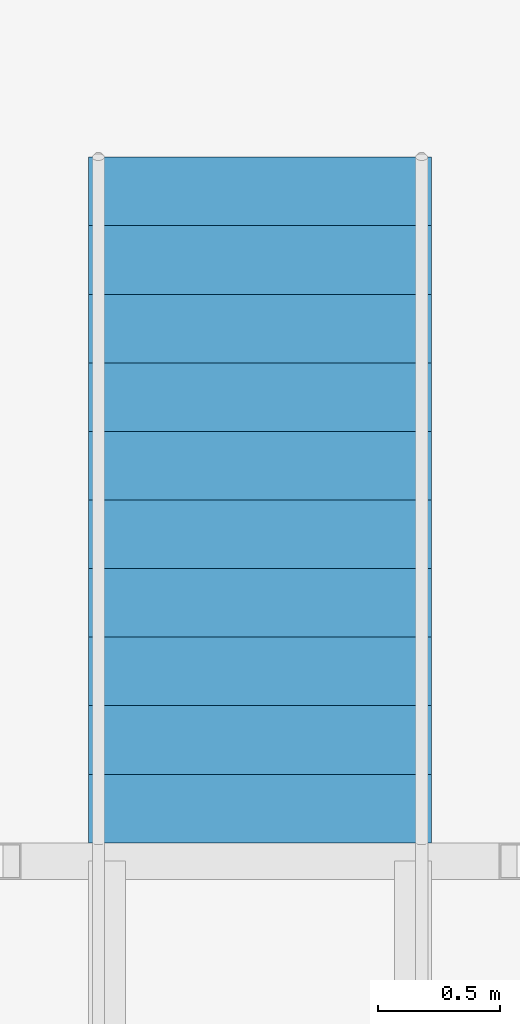
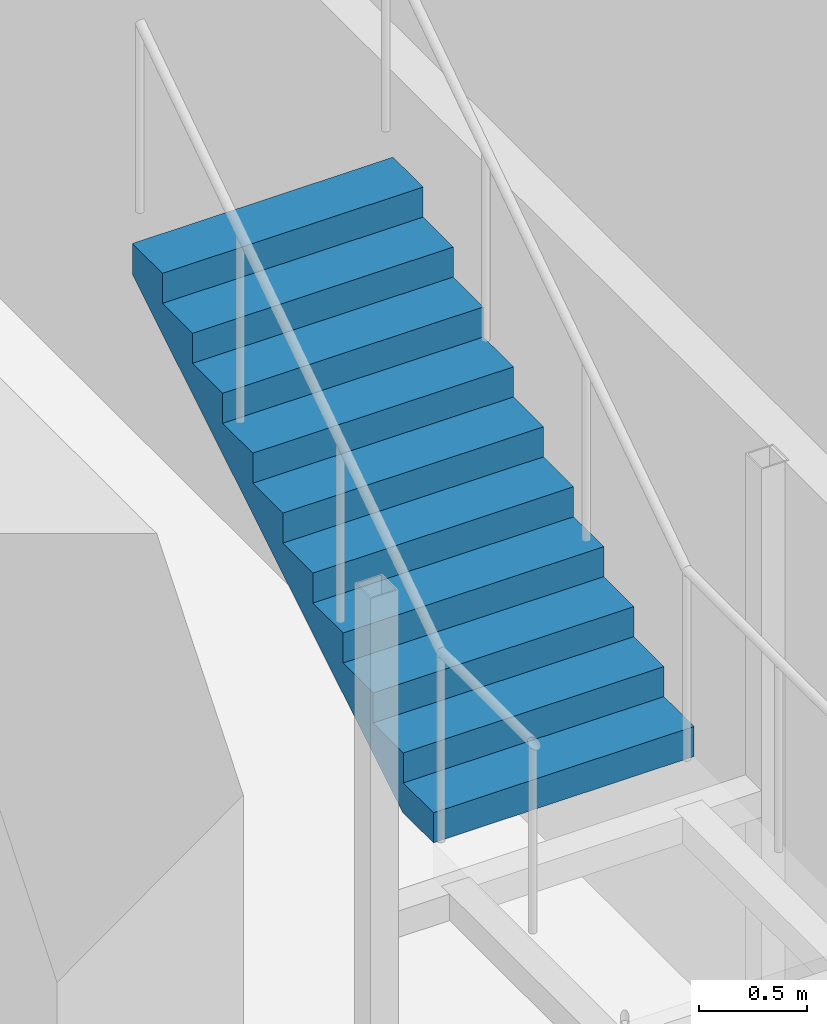
# One storey, part 24 of 27: 1 stair flight, 1 element without a shape of its own.
"""IFC4 building model written with IfcOpenShell, lengths in metres."""

from ifc_helpers import new_model, si_unit, direction, frame, origin, place, context, subcontext, project, spatial, triangles, material, type_object, element, aggregate, save


model = new_model("IFC4")

# Units and contexts
model_context = context("Model", 3, precision=1e-05, world=origin(), true_north=direction((0.0, 1.0)))
body_context = subcontext(model_context, "Body", "Model", "MODEL_VIEW")
ifc_project = project(units=[si_unit("LENGTHUNIT", "METRE"), si_unit("AREAUNIT", "SQUARE_METRE"), si_unit("VOLUMEUNIT", "CUBIC_METRE"), si_unit("PLANEANGLEUNIT", "RADIAN"), si_unit("MASSUNIT", "GRAM", prefix="KILO")], contexts=[model_context])

# Site, building, storey
site_placement = place(None, origin())
site = spatial("IfcSite", under=ifc_project, at=site_placement, CompositionType="ELEMENT")
building_placement = place(site_placement, origin())
building = spatial("IfcBuilding", under=site, at=building_placement, Name="Orbita Commons", CompositionType="ELEMENT")
storey_placement = place(building_placement, frame((0.0, 0.0, 178.60009765625)))
storey = spatial("IfcBuildingStorey", under=building, at=storey_placement, Name="L44", CompositionType="ELEMENT", Elevation=178.60009765625)

# Stair, stair flight
ifc_material_1 = material(Name="Steel ASTM A992 stringers, precast concrete C40/50 terrazzo treads", Category="concrete")
stair_type = type_object("IfcStairType", Name="Feature stair 22 risers 170 x 280 x 1400", PredefinedType="STRAIGHT_RUN_STAIR", material=ifc_material_1)
stair_placement = place(storey_placement, origin())
stair = element("IfcStair", 1, at=stair_placement, inside=storey, type_object=stair_type, Name="Neighbourhood stair L44 to L45", PredefinedType="STRAIGHT_RUN_STAIR")
ifc_material_2 = material(Name="Steel ASTM A992 stringers, precast concrete C40/50 terrazzo treads", Category="concrete")
stair_flight_type = type_object("IfcStairFlightType", Name="Feature stair flight 11 risers 170 x 1400", PredefinedType="STRAIGHT", material=ifc_material_2)
stair_flight_placement = place(storey_placement, frame((14.39990234375, 36.010009765625, 1.875), z_axis=(0.0, 0.0, 1.0), x_axis=(0.0, 1.0, 0.0)))
stair_flight = element("IfcStairFlight", 2, at=stair_flight_placement, type_object=stair_flight_type, Name="FS flight 2", NumberOfRisers=11, NumberOfTreads=10, PredefinedType="STRAIGHT", RiserHeight=0.170454545, TreadLength=0.28, context=body_context, shape_type="Tessellation", body=[
    triangles([(0.0, 0.699951, 0.0), (0.0, 0.699951, 0.021307), (0.0, 0.583293, 0.021307), (0.0, 0.583293, 0.0), (0.0, 0.466634, 0.021307), (0.0, 0.466634, 0.0), (0.0, 0.349976, 0.021307), (0.0, 0.349976, 0.0), (0.0, 0.233317, 0.021307), (0.0, 0.233317, 0.0), (0.0, 0.116659, 0.021307), (0.0, 0.116659, 0.0), (0.0, 0.0, 0.021307), (0.0, 0.0, 0.0), (0.0, -0.116659, 0.021307), (0.0, -0.116659, 0.0), (0.0, -0.233317, 0.021307), (0.0, -0.233317, 0.0), (0.0, -0.349976, 0.021307), (0.0, -0.349976, 0.0), (0.0, -0.466634, 0.021307), (0.0, -0.466634, 0.0), (0.0, -0.583293, 0.021307), (0.0, -0.583293, 0.0), (0.0, -0.699951, 0.021307), (0.0, -0.699951, 0.0), (0.0, 0.699951, 0.042614), (0.0, 0.583293, 0.042614), (0.0, 0.466634, 0.042614), (0.0, 0.349976, 0.042614), (0.0, 0.233317, 0.042614), (0.0, 0.116659, 0.042614), (0.0, 0.0, 0.042614), (0.0, -0.116659, 0.042614), (0.0, -0.233317, 0.042614), (0.0, -0.349976, 0.042614), (0.0, -0.466634, 0.042614), (0.0, -0.583293, 0.042614), (0.0, -0.699951, 0.042614), (0.0, 0.699951, 0.06392), (0.0, 0.583293, 0.06392), (0.0, 0.466634, 0.06392), (0.0, 0.349976, 0.06392), (0.0, 0.233317, 0.06392), (0.0, 0.116659, 0.06392), (0.0, 0.0, 0.06392), (0.0, -0.116659, 0.06392), (0.0, -0.233317, 0.06392), (0.0, -0.349976, 0.06392), (0.0, -0.466634, 0.06392), (0.0, -0.583293, 0.06392), (0.0, -0.699951, 0.06392), (0.0, 0.699951, 0.085227), (0.0, 0.583293, 0.085227), (0.0, 0.466634, 0.085227), (0.0, 0.349976, 0.085227), (0.0, 0.233317, 0.085227), (0.0, 0.116659, 0.085227), (0.0, 0.0, 0.085227), (0.0, -0.116659, 0.085227), (0.0, -0.233317, 0.085227), (0.0, -0.349976, 0.085227), (0.0, -0.466634, 0.085227), (0.0, -0.583293, 0.085227), (0.0, -0.699951, 0.085227), (0.0, 0.699951, 0.106534), (0.0, 0.583293, 0.106534), (0.0, 0.466634, 0.106534), (0.0, 0.349976, 0.106534), (0.0, 0.233317, 0.106534), (0.0, 0.116659, 0.106534), (0.0, 0.0, 0.106534), (0.0, -0.116659, 0.106534), (0.0, -0.233317, 0.106534), (0.0, -0.349976, 0.106534), (0.0, -0.466634, 0.106534), (0.0, -0.583293, 0.106534), (0.0, -0.699951, 0.106534), (0.0, 0.699951, 0.127841), (0.0, 0.583293, 0.127841), (0.0, 0.466634, 0.127841), (0.0, 0.349976, 0.127841), (0.0, 0.233317, 0.127841), (0.0, 0.116659, 0.127841), (0.0, 0.0, 0.127841), (0.0, -0.116659, 0.127841), (0.0, -0.233317, 0.127841), (0.0, -0.349976, 0.127841), (0.0, -0.466634, 0.127841), (0.0, -0.583293, 0.127841), (0.0, -0.699951, 0.127841), (0.0, 0.699951, 0.149148), (0.0, 0.583293, 0.149148), (0.0, 0.466634, 0.149148), (0.0, 0.349976, 0.149148), (0.0, 0.233317, 0.149148), (0.0, 0.116659, 0.149148), (0.0, 0.0, 0.149148), (0.0, -0.116659, 0.149148), (0.0, -0.233317, 0.149148), (0.0, -0.349976, 0.149148), (0.0, -0.466634, 0.149148), (0.0, -0.583293, 0.149148), (0.0, -0.699951, 0.149148), (0.0, 0.699951, 0.170455), (0.0, 0.583293, 0.170455), (0.0, 0.466634, 0.170455), (0.0, 0.349976, 0.170455), (0.0, 0.233317, 0.170455), (0.0, 0.116659, 0.170455), (0.0, 0.0, 0.170455), (0.0, -0.116659, 0.170455), (0.0, -0.233317, 0.170455), (0.0, -0.349976, 0.170455), (0.0, -0.466634, 0.170455), (0.0, -0.583293, 0.170455), (0.0, -0.699951, 0.170455), (0.28, 0.699951, 0.170455), (0.28, 0.583293, 0.170455), (0.28, 0.466634, 0.170455), (0.28, 0.349976, 0.170455), (0.28, 0.233317, 0.170455), (0.28, 0.116659, 0.170455), (0.28, 0.0, 0.170455), (0.28, -0.116659, 0.170455), (0.28, -0.233317, 0.170455), (0.28, -0.349976, 0.170455), (0.28, -0.466634, 0.170455), (0.28, -0.583293, 0.170455), (0.28, -0.699951, 0.170455), (0.28, 0.699951, 0.340909), (0.28, 0.583293, 0.340909), (0.28, 0.466634, 0.340909), (0.28, 0.349976, 0.340909), (0.28, 0.233317, 0.340909), (0.28, 0.116659, 0.340909), (0.28, 0.0, 0.340909), (0.28, -0.116659, 0.340909), (0.28, -0.233317, 0.340909), (0.28, -0.349976, 0.340909), (0.28, -0.466634, 0.340909), (0.28, -0.583293, 0.340909), (0.28, -0.699951, 0.340909), (0.56, 0.699951, 0.340909), (0.56, 0.583293, 0.340909), (0.56, 0.466634, 0.340909), (0.56, 0.349976, 0.340909), (0.56, 0.233317, 0.340909), (0.56, 0.116659, 0.340909), (0.56, 0.0, 0.340909), (0.56, -0.116659, 0.340909), (0.56, -0.233317, 0.340909), (0.56, -0.349976, 0.340909), (0.56, -0.466634, 0.340909), (0.56, -0.583293, 0.340909), (0.56, -0.699951, 0.340909), (0.56, 0.699951, 0.511364), (0.56, 0.583293, 0.511364), (0.56, 0.466634, 0.511364), (0.56, 0.349976, 0.511364), (0.56, 0.233317, 0.511364), (0.56, 0.116659, 0.511364), (0.56, 0.0, 0.511364), (0.56, -0.116659, 0.511364), (0.56, -0.233317, 0.511364), (0.56, -0.349976, 0.511364), (0.56, -0.466634, 0.511364), (0.56, -0.583293, 0.511364), (0.56, -0.699951, 0.511364), (0.84, 0.699951, 0.511364), (0.84, 0.583293, 0.511364), (0.84, 0.466634, 0.511364), (0.84, 0.349976, 0.511364), (0.84, 0.233317, 0.511364), (0.84, 0.116659, 0.511364), (0.84, 0.0, 0.511364), (0.84, -0.116659, 0.511364), (0.84, -0.233317, 0.511364), (0.84, -0.349976, 0.511364), (0.84, -0.466634, 0.511364), (0.84, -0.583293, 0.511364), (0.84, -0.699951, 0.511364), (0.84, 0.699951, 0.681818), (0.84, 0.583293, 0.681818), (0.84, 0.466634, 0.681818), (0.84, 0.349976, 0.681818), (0.84, 0.233317, 0.681818), (0.84, 0.116659, 0.681818), (0.84, 0.0, 0.681818), (0.84, -0.116659, 0.681818), (0.84, -0.233317, 0.681818), (0.84, -0.349976, 0.681818), (0.84, -0.466634, 0.681818), (0.84, -0.583293, 0.681818), (0.84, -0.699951, 0.681818), (1.12, 0.699951, 0.681818), (1.12, 0.583293, 0.681818), (1.12, 0.466634, 0.681818), (1.12, 0.349976, 0.681818), (1.12, 0.233317, 0.681818), (1.12, 0.116659, 0.681818), (1.12, 0.0, 0.681818), (1.12, -0.116659, 0.681818), (1.12, -0.233317, 0.681818), (1.12, -0.349976, 0.681818), (1.12, -0.466634, 0.681818), (1.12, -0.583293, 0.681818), (1.12, -0.699951, 0.681818), (1.12, 0.699951, 0.852273), (1.12, 0.583293, 0.852273), (1.12, 0.466634, 0.852273), (1.12, 0.349976, 0.852273), (1.12, 0.233317, 0.852273), (1.12, 0.116659, 0.852273), (1.12, 0.0, 0.852273), (1.12, -0.116659, 0.852273), (1.12, -0.233317, 0.852273), (1.12, -0.349976, 0.852273), (1.12, -0.466634, 0.852273), (1.12, -0.583293, 0.852273), (1.12, -0.699951, 0.852273), (1.4, 0.699951, 0.852273), (1.4, 0.583293, 0.852273), (1.4, 0.466634, 0.852273), (1.4, 0.349976, 0.852273), (1.4, 0.233317, 0.852273), (1.4, 0.116659, 0.852273), (1.4, 0.0, 0.852273), (1.4, -0.116659, 0.852273), (1.4, -0.233317, 0.852273), (1.4, -0.349976, 0.852273), (1.4, -0.466634, 0.852273), (1.4, -0.583293, 0.852273), (1.4, -0.699951, 0.852273), (1.4, 0.699951, 1.022727), (1.4, 0.583293, 1.022727), (1.4, 0.466634, 1.022727), (1.4, 0.349976, 1.022727), (1.4, 0.233317, 1.022727), (1.4, 0.116659, 1.022727), (1.4, 0.0, 1.022727), (1.4, -0.116659, 1.022727), (1.4, -0.233317, 1.022727), (1.4, -0.349976, 1.022727), (1.4, -0.466634, 1.022727), (1.4, -0.583293, 1.022727), (1.4, -0.699951, 1.022727), (1.68, 0.699951, 1.022727), (1.68, 0.583293, 1.022727), (1.68, 0.466634, 1.022727), (1.68, 0.349976, 1.022727), (1.68, 0.233317, 1.022727), (1.68, 0.116659, 1.022727), (1.68, 0.0, 1.022727), (1.68, -0.116659, 1.022727), (1.68, -0.233317, 1.022727), (1.68, -0.349976, 1.022727), (1.68, -0.466634, 1.022727), (1.68, -0.583293, 1.022727), (1.68, -0.699951, 1.022727), (1.68, 0.699951, 1.193182), (1.68, 0.583293, 1.193182), (1.68, 0.466634, 1.193182), (1.68, 0.349976, 1.193182), (1.68, 0.233317, 1.193182), (1.68, 0.116659, 1.193182), (1.68, 0.0, 1.193182), (1.68, -0.116659, 1.193182), (1.68, -0.233317, 1.193182), (1.68, -0.349976, 1.193182), (1.68, -0.466634, 1.193182), (1.68, -0.583293, 1.193182), (1.68, -0.699951, 1.193182), (1.96, 0.699951, 1.193182), (1.96, 0.583293, 1.193182), (1.96, 0.466634, 1.193182), (1.96, 0.349976, 1.193182), (1.96, 0.233317, 1.193182), (1.96, 0.116659, 1.193182), (1.96, 0.0, 1.193182), (1.96, -0.116659, 1.193182), (1.96, -0.233317, 1.193182), (1.96, -0.349976, 1.193182), (1.96, -0.466634, 1.193182), (1.96, -0.583293, 1.193182), (1.96, -0.699951, 1.193182), (1.96, 0.699951, 1.363636), (1.96, 0.583293, 1.363636), (1.96, 0.466634, 1.363636), (1.96, 0.349976, 1.363636), (1.96, 0.233317, 1.363636), (1.96, 0.116659, 1.363636), (1.96, 0.0, 1.363636), (1.96, -0.116659, 1.363636), (1.96, -0.233317, 1.363636), (1.96, -0.349976, 1.363636), (1.96, -0.466634, 1.363636), (1.96, -0.583293, 1.363636), (1.96, -0.699951, 1.363636), (2.24, 0.699951, 1.363636), (2.24, 0.583293, 1.363636), (2.24, 0.466634, 1.363636), (2.24, 0.349976, 1.363636), (2.24, 0.233317, 1.363636), (2.24, 0.116659, 1.363636), (2.24, 0.0, 1.363636), (2.24, -0.116659, 1.363636), (2.24, -0.233317, 1.363636), (2.24, -0.349976, 1.363636), (2.24, -0.466634, 1.363636), (2.24, -0.583293, 1.363636), (2.24, -0.699951, 1.363636), (2.24, 0.699951, 1.534091), (2.24, 0.583293, 1.534091), (2.24, 0.466634, 1.534091), (2.24, 0.349976, 1.534091), (2.24, 0.233317, 1.534091), (2.24, 0.116659, 1.534091), (2.24, 0.0, 1.534091), (2.24, -0.116659, 1.534091), (2.24, -0.233317, 1.534091), (2.24, -0.349976, 1.534091), (2.24, -0.466634, 1.534091), (2.24, -0.583293, 1.534091), (2.24, -0.699951, 1.534091), (2.52, 0.699951, 1.534091), (2.52, 0.583293, 1.534091), (2.52, 0.466634, 1.534091), (2.52, 0.349976, 1.534091), (2.52, 0.233317, 1.534091), (2.52, 0.116659, 1.534091), (2.52, 0.0, 1.534091), (2.52, -0.116659, 1.534091), (2.52, -0.233317, 1.534091), (2.52, -0.349976, 1.534091), (2.52, -0.466634, 1.534091), (2.52, -0.583293, 1.534091), (2.52, -0.699951, 1.534091), (2.52, 0.699951, 1.704545), (2.52, 0.583293, 1.704545), (2.52, 0.466634, 1.704545), (2.52, 0.349976, 1.704545), (2.52, 0.233317, 1.704545), (2.52, 0.116659, 1.704545), (2.52, 0.0, 1.704545), (2.52, -0.116659, 1.704545), (2.52, -0.233317, 1.704545), (2.52, -0.349976, 1.704545), (2.52, -0.466634, 1.704545), (2.52, -0.583293, 1.704545), (2.52, -0.699951, 1.704545), (2.8, 0.699951, 1.704545), (2.8, 0.583293, 1.704545), (2.8, 0.466634, 1.704545), (2.8, 0.349976, 1.704545), (2.8, 0.233317, 1.704545), (2.8, 0.116659, 1.704545), (2.8, 0.0, 1.704545), (2.8, -0.116659, 1.704545), (2.8, -0.233317, 1.704545), (2.8, -0.349976, 1.704545), (2.8, -0.466634, 1.704545), (2.8, -0.583293, 1.704545), (2.8, -0.699951, 1.704545), (2.8, 0.699951, 1.682609), (2.8, 0.583293, 1.682609), (2.8, 0.466634, 1.682609), (2.8, 0.349976, 1.682609), (2.8, 0.233317, 1.682609), (2.8, 0.116659, 1.682609), (2.8, 0.0, 1.682609), (2.8, -0.116659, 1.682609), (2.8, -0.233317, 1.682609), (2.8, -0.349976, 1.682609), (2.8, -0.466634, 1.682609), (2.8, -0.583293, 1.682609), (2.8, -0.699951, 1.682609), (2.8, 0.699951, 1.660672), (2.8, 0.583293, 1.660672), (2.8, 0.466634, 1.660672), (2.8, 0.349976, 1.660672), (2.8, 0.233317, 1.660672), (2.8, 0.116659, 1.660672), (2.8, 0.0, 1.660672), (2.8, -0.116659, 1.660672), (2.8, -0.233317, 1.660672), (2.8, -0.349976, 1.660672), (2.8, -0.466634, 1.660672), (2.8, -0.583293, 1.660672), (2.8, -0.699951, 1.660672), (2.8, 0.699951, 1.638735), (2.8, 0.583293, 1.638735), (2.8, 0.466634, 1.638735), (2.8, 0.349976, 1.638735), (2.8, 0.233317, 1.638735), (2.8, 0.116659, 1.638735), (2.8, 0.0, 1.638735), (2.8, -0.116659, 1.638735), (2.8, -0.233317, 1.638735), (2.8, -0.349976, 1.638735), (2.8, -0.466634, 1.638735), (2.8, -0.583293, 1.638735), (2.8, -0.699951, 1.638735), (2.8, 0.699951, 1.616798), (2.8, 0.583293, 1.616798), (2.8, 0.466634, 1.616798), (2.8, 0.349976, 1.616798), (2.8, 0.233317, 1.616798), (2.8, 0.116659, 1.616798), (2.8, 0.0, 1.616798), (2.8, -0.116659, 1.616798), (2.8, -0.233317, 1.616798), (2.8, -0.349976, 1.616798), (2.8, -0.466634, 1.616798), (2.8, -0.583293, 1.616798), (2.8, -0.699951, 1.616798), (2.8, 0.699951, 1.594861), (2.8, 0.583293, 1.594861), (2.8, 0.466634, 1.594861), (2.8, 0.349976, 1.594861), (2.8, 0.233317, 1.594861), (2.8, 0.116659, 1.594861), (2.8, 0.0, 1.594861), (2.8, -0.116659, 1.594861), (2.8, -0.233317, 1.594861), (2.8, -0.349976, 1.594861), (2.8, -0.466634, 1.594861), (2.8, -0.583293, 1.594861), (2.8, -0.699951, 1.594861), (2.8, 0.699951, 1.572925), (2.8, 0.583293, 1.572925), (2.8, 0.466634, 1.572925), (2.8, 0.349976, 1.572925), (2.8, 0.233317, 1.572925), (2.8, 0.116659, 1.572925), (2.8, 0.0, 1.572925), (2.8, -0.116659, 1.572925), (2.8, -0.233317, 1.572925), (2.8, -0.349976, 1.572925), (2.8, -0.466634, 1.572925), (2.8, -0.583293, 1.572925), (2.8, -0.699951, 1.572925), (2.8, 0.699951, 1.550988), (2.8, 0.583293, 1.550988), (2.8, 0.466634, 1.550988), (2.8, 0.349976, 1.550988), (2.8, 0.233317, 1.550988), (2.8, 0.116659, 1.550988), (2.8, 0.0, 1.550988), (2.8, -0.116659, 1.550988), (2.8, -0.233317, 1.550988), (2.8, -0.349976, 1.550988), (2.8, -0.466634, 1.550988), (2.8, -0.583293, 1.550988), (2.8, -0.699951, 1.550988), (2.8, 0.699951, 1.529051), (2.8, 0.583293, 1.529051), (2.8, 0.466634, 1.529051), (2.8, 0.349976, 1.529051), (2.8, 0.233317, 1.529051), (2.8, 0.116659, 1.529051), (2.8, 0.0, 1.529051), (2.8, -0.116659, 1.529051), (2.8, -0.233317, 1.529051), (2.8, -0.349976, 1.529051), (2.8, -0.466634, 1.529051), (2.8, -0.583293, 1.529051), (2.8, -0.699951, 1.529051), (0.288279, 0.699951, 0.0), (0.288279, 0.583293, 0.0), (0.288279, 0.466634, 0.0), (0.288279, 0.349976, 0.0), (0.288279, 0.233317, 0.0), (0.288279, 0.116659, 0.0), (0.288279, 0.0, 0.0), (0.288279, -0.116659, 0.0), (0.288279, -0.233317, 0.0), (0.288279, -0.349976, 0.0), (0.288279, -0.466634, 0.0), (0.288279, -0.583293, 0.0), (0.288279, -0.699951, 0.0)], [[3, 2, 1], [4, 3, 1], [5, 3, 4], [6, 5, 4], [7, 5, 6], [8, 7, 6], [9, 7, 8], [10, 9, 8], [11, 9, 10], [12, 11, 10], [13, 11, 12], [14, 13, 12], [15, 13, 14], [16, 15, 14], [17, 15, 16], [18, 17, 16], [19, 17, 18], [20, 19, 18], [21, 19, 20], [22, 21, 20], [23, 21, 22], [24, 23, 22], [25, 23, 24], [26, 25, 24], [28, 27, 2], [3, 28, 2], [29, 28, 3], [5, 29, 3], [30, 29, 5], [7, 30, 5], [31, 30, 7], [9, 31, 7], [32, 31, 9], [11, 32, 9], [33, 32, 11], [13, 33, 11], [34, 33, 13], [15, 34, 13], [35, 34, 15], [17, 35, 15], [36, 35, 17], [19, 36, 17], [37, 36, 19], [21, 37, 19], [38, 37, 21], [23, 38, 21], [39, 38, 23], [25, 39, 23], [41, 40, 27], [28, 41, 27], [42, 41, 28], [29, 42, 28], [43, 42, 29], [30, 43, 29], [44, 43, 30], [31, 44, 30], [45, 44, 31], [32, 45, 31], [46, 45, 32], [33, 46, 32], [47, 46, 33], [34, 47, 33], [48, 47, 34], [35, 48, 34], [49, 48, 35], [36, 49, 35], [50, 49, 36], [37, 50, 36], [51, 50, 37], [38, 51, 37], [52, 51, 38], [39, 52, 38], [54, 53, 40], [41, 54, 40], [55, 54, 41], [42, 55, 41], [56, 55, 42], [43, 56, 42], [57, 56, 43], [44, 57, 43], [58, 57, 44], [45, 58, 44], [59, 58, 45], [46, 59, 45], [60, 59, 46], [47, 60, 46], [61, 60, 47], [48, 61, 47], [62, 61, 48], [49, 62, 48], [63, 62, 49], [50, 63, 49], [64, 63, 50], [51, 64, 50], [65, 64, 51], [52, 65, 51], [67, 66, 53], [54, 67, 53], [68, 67, 54], [55, 68, 54], [69, 68, 55], [56, 69, 55], [70, 69, 56], [57, 70, 56], [71, 70, 57], [58, 71, 57], [72, 71, 58], [59, 72, 58], [73, 72, 59], [60, 73, 59], [74, 73, 60], [61, 74, 60], [75, 74, 61], [62, 75, 61], [76, 75, 62], [63, 76, 62], [77, 76, 63], [64, 77, 63], [78, 77, 64], [65, 78, 64], [80, 79, 66], [67, 80, 66], [81, 80, 67], [68, 81, 67], [82, 81, 68], [69, 82, 68], [83, 82, 69], [70, 83, 69], [84, 83, 70], [71, 84, 70], [85, 84, 71], [72, 85, 71], [86, 85, 72], [73, 86, 72], [87, 86, 73], [74, 87, 73], [88, 87, 74], [75, 88, 74], [89, 88, 75], [76, 89, 75], [90, 89, 76], [77, 90, 76], [91, 90, 77], [78, 91, 77], [93, 92, 79], [80, 93, 79], [94, 93, 80], [81, 94, 80], [95, 94, 81], [82, 95, 81], [96, 95, 82], [83, 96, 82], [97, 96, 83], [84, 97, 83], [98, 97, 84], [85, 98, 84], [99, 98, 85], [86, 99, 85], [100, 99, 86], [87, 100, 86], [101, 100, 87], [88, 101, 87], [102, 101, 88], [89, 102, 88], [103, 102, 89], [90, 103, 89], [104, 103, 90], [91, 104, 90], [106, 105, 92], [93, 106, 92], [107, 106, 93], [94, 107, 93], [108, 107, 94], [95, 108, 94], [109, 108, 95], [96, 109, 95], [110, 109, 96], [97, 110, 96], [111, 110, 97], [98, 111, 97], [112, 111, 98], [99, 112, 98], [113, 112, 99], [100, 113, 99], [114, 113, 100], [101, 114, 100], [115, 114, 101], [102, 115, 101], [116, 115, 102], [103, 116, 102], [117, 116, 103], [104, 117, 103], [119, 118, 105], [106, 119, 105], [120, 119, 106], [107, 120, 106], [121, 120, 107], [108, 121, 107], [122, 121, 108], [109, 122, 108], [123, 122, 109], [110, 123, 109], [124, 123, 110], [111, 124, 110], [125, 124, 111], [112, 125, 111], [126, 125, 112], [113, 126, 112], [127, 126, 113], [114, 127, 113], [128, 127, 114], [115, 128, 114], [129, 128, 115], [116, 129, 115], [130, 129, 116], [117, 130, 116], [132, 131, 118], [119, 132, 118], [133, 132, 119], [120, 133, 119], [134, 133, 120], [121, 134, 120], [135, 134, 121], [122, 135, 121], [136, 135, 122], [123, 136, 122], [137, 136, 123], [124, 137, 123], [138, 137, 124], [125, 138, 124], [139, 138, 125], [126, 139, 125], [140, 139, 126], [127, 140, 126], [141, 140, 127], [128, 141, 127], [142, 141, 128], [129, 142, 128], [143, 142, 129], [130, 143, 129], [145, 144, 131], [132, 145, 131], [146, 145, 132], [133, 146, 132], [147, 146, 133], [134, 147, 133], [148, 147, 134], [135, 148, 134], [149, 148, 135], [136, 149, 135], [150, 149, 136], [137, 150, 136], [151, 150, 137], [138, 151, 137], [152, 151, 138], [139, 152, 138], [153, 152, 139], [140, 153, 139], [154, 153, 140], [141, 154, 140], [155, 154, 141], [142, 155, 141], [156, 155, 142], [143, 156, 142], [158, 157, 144], [145, 158, 144], [159, 158, 145], [146, 159, 145], [160, 159, 146], [147, 160, 146], [161, 160, 147], [148, 161, 147], [162, 161, 148], [149, 162, 148], [163, 162, 149], [150, 163, 149], [164, 163, 150], [151, 164, 150], [165, 164, 151], [152, 165, 151], [166, 165, 152], [153, 166, 152], [167, 166, 153], [154, 167, 153], [168, 167, 154], [155, 168, 154], [169, 168, 155], [156, 169, 155], [171, 170, 157], [158, 171, 157], [172, 171, 158], [159, 172, 158], [173, 172, 159], [160, 173, 159], [174, 173, 160], [161, 174, 160], [175, 174, 161], [162, 175, 161], [176, 175, 162], [163, 176, 162], [177, 176, 163], [164, 177, 163], [178, 177, 164], [165, 178, 164], [179, 178, 165], [166, 179, 165], [180, 179, 166], [167, 180, 166], [181, 180, 167], [168, 181, 167], [182, 181, 168], [169, 182, 168], [184, 183, 170], [171, 184, 170], [185, 184, 171], [172, 185, 171], [186, 185, 172], [173, 186, 172], [187, 186, 173], [174, 187, 173], [188, 187, 174], [175, 188, 174], [189, 188, 175], [176, 189, 175], [190, 189, 176], [177, 190, 176], [191, 190, 177], [178, 191, 177], [192, 191, 178], [179, 192, 178], [193, 192, 179], [180, 193, 179], [194, 193, 180], [181, 194, 180], [195, 194, 181], [182, 195, 181], [197, 196, 183], [184, 197, 183], [198, 197, 184], [185, 198, 184], [199, 198, 185], [186, 199, 185], [200, 199, 186], [187, 200, 186], [201, 200, 187], [188, 201, 187], [202, 201, 188], [189, 202, 188], [203, 202, 189], [190, 203, 189], [204, 203, 190], [191, 204, 190], [205, 204, 191], [192, 205, 191], [206, 205, 192], [193, 206, 192], [207, 206, 193], [194, 207, 193], [208, 207, 194], [195, 208, 194], [210, 209, 196], [197, 210, 196], [211, 210, 197], [198, 211, 197], [212, 211, 198], [199, 212, 198], [213, 212, 199], [200, 213, 199], [214, 213, 200], [201, 214, 200], [215, 214, 201], [202, 215, 201], [216, 215, 202], [203, 216, 202], [217, 216, 203], [204, 217, 203], [218, 217, 204], [205, 218, 204], [219, 218, 205], [206, 219, 205], [220, 219, 206], [207, 220, 206], [221, 220, 207], [208, 221, 207], [223, 222, 209], [210, 223, 209], [224, 223, 210], [211, 224, 210], [225, 224, 211], [212, 225, 211], [226, 225, 212], [213, 226, 212], [227, 226, 213], [214, 227, 213], [228, 227, 214], [215, 228, 214], [229, 228, 215], [216, 229, 215], [230, 229, 216], [217, 230, 216], [231, 230, 217], [218, 231, 217], [232, 231, 218], [219, 232, 218], [233, 232, 219], [220, 233, 219], [234, 233, 220], [221, 234, 220], [236, 235, 222], [223, 236, 222], [237, 236, 223], [224, 237, 223], [238, 237, 224], [225, 238, 224], [239, 238, 225], [226, 239, 225], [240, 239, 226], [227, 240, 226], [241, 240, 227], [228, 241, 227], [242, 241, 228], [229, 242, 228], [243, 242, 229], [230, 243, 229], [244, 243, 230], [231, 244, 230], [245, 244, 231], [232, 245, 231], [246, 245, 232], [233, 246, 232], [247, 246, 233], [234, 247, 233], [249, 248, 235], [236, 249, 235], [250, 249, 236], [237, 250, 236], [251, 250, 237], [238, 251, 237], [252, 251, 238], [239, 252, 238], [253, 252, 239], [240, 253, 239], [254, 253, 240], [241, 254, 240], [255, 254, 241], [242, 255, 241], [256, 255, 242], [243, 256, 242], [257, 256, 243], [244, 257, 243], [258, 257, 244], [245, 258, 244], [259, 258, 245], [246, 259, 245], [260, 259, 246], [247, 260, 246], [262, 261, 248], [249, 262, 248], [263, 262, 249], [250, 263, 249], [264, 263, 250], [251, 264, 250], [265, 264, 251], [252, 265, 251], [266, 265, 252], [253, 266, 252], [267, 266, 253], [254, 267, 253], [268, 267, 254], [255, 268, 254], [269, 268, 255], [256, 269, 255], [270, 269, 256], [257, 270, 256], [271, 270, 257], [258, 271, 257], [272, 271, 258], [259, 272, 258], [273, 272, 259], [260, 273, 259], [275, 274, 261], [262, 275, 261], [276, 275, 262], [263, 276, 262], [277, 276, 263], [264, 277, 263], [278, 277, 264], [265, 278, 264], [279, 278, 265], [266, 279, 265], [280, 279, 266], [267, 280, 266], [281, 280, 267], [268, 281, 267], [282, 281, 268], [269, 282, 268], [283, 282, 269], [270, 283, 269], [284, 283, 270], [271, 284, 270], [285, 284, 271], [272, 285, 271], [286, 285, 272], [273, 286, 272], [288, 287, 274], [275, 288, 274], [289, 288, 275], [276, 289, 275], [290, 289, 276], [277, 290, 276], [291, 290, 277], [278, 291, 277], [292, 291, 278], [279, 292, 278], [293, 292, 279], [280, 293, 279], [294, 293, 280], [281, 294, 280], [295, 294, 281], [282, 295, 281], [296, 295, 282], [283, 296, 282], [297, 296, 283], [284, 297, 283], [298, 297, 284], [285, 298, 284], [299, 298, 285], [286, 299, 285], [301, 300, 287], [288, 301, 287], [302, 301, 288], [289, 302, 288], [303, 302, 289], [290, 303, 289], [304, 303, 290], [291, 304, 290], [305, 304, 291], [292, 305, 291], [306, 305, 292], [293, 306, 292], [307, 306, 293], [294, 307, 293], [308, 307, 294], [295, 308, 294], [309, 308, 295], [296, 309, 295], [310, 309, 296], [297, 310, 296], [311, 310, 297], [298, 311, 297], [312, 311, 298], [299, 312, 298], [314, 313, 300], [301, 314, 300], [315, 314, 301], [302, 315, 301], [316, 315, 302], [303, 316, 302], [317, 316, 303], [304, 317, 303], [318, 317, 304], [305, 318, 304], [319, 318, 305], [306, 319, 305], [320, 319, 306], [307, 320, 306], [321, 320, 307], [308, 321, 307], [322, 321, 308], [309, 322, 308], [323, 322, 309], [310, 323, 309], [324, 323, 310], [311, 324, 310], [325, 324, 311], [312, 325, 311], [327, 326, 313], [314, 327, 313], [328, 327, 314], [315, 328, 314], [329, 328, 315], [316, 329, 315], [330, 329, 316], [317, 330, 316], [331, 330, 317], [318, 331, 317], [332, 331, 318], [319, 332, 318], [333, 332, 319], [320, 333, 319], [334, 333, 320], [321, 334, 320], [335, 334, 321], [322, 335, 321], [336, 335, 322], [323, 336, 322], [337, 336, 323], [324, 337, 323], [338, 337, 324], [325, 338, 324], [340, 339, 326], [327, 340, 326], [341, 340, 327], [328, 341, 327], [342, 341, 328], [329, 342, 328], [343, 342, 329], [330, 343, 329], [344, 343, 330], [331, 344, 330], [345, 344, 331], [332, 345, 331], [346, 345, 332], [333, 346, 332], [347, 346, 333], [334, 347, 333], [348, 347, 334], [335, 348, 334], [349, 348, 335], [336, 349, 335], [350, 349, 336], [337, 350, 336], [351, 350, 337], [338, 351, 337], [353, 352, 339], [340, 353, 339], [354, 353, 340], [341, 354, 340], [355, 354, 341], [342, 355, 341], [356, 355, 342], [343, 356, 342], [357, 356, 343], [344, 357, 343], [358, 357, 344], [345, 358, 344], [359, 358, 345], [346, 359, 345], [360, 359, 346], [347, 360, 346], [361, 360, 347], [348, 361, 347], [362, 361, 348], [349, 362, 348], [363, 362, 349], [350, 363, 349], [364, 363, 350], [351, 364, 350], [366, 365, 352], [353, 366, 352], [367, 366, 353], [354, 367, 353], [368, 367, 354], [355, 368, 354], [369, 368, 355], [356, 369, 355], [370, 369, 356], [357, 370, 356], [371, 370, 357], [358, 371, 357], [372, 371, 358], [359, 372, 358], [373, 372, 359], [360, 373, 359], [374, 373, 360], [361, 374, 360], [375, 374, 361], [362, 375, 361], [376, 375, 362], [363, 376, 362], [377, 376, 363], [364, 377, 363], [379, 378, 365], [366, 379, 365], [380, 379, 366], [367, 380, 366], [381, 380, 367], [368, 381, 367], [382, 381, 368], [369, 382, 368], [383, 382, 369], [370, 383, 369], [384, 383, 370], [371, 384, 370], [385, 384, 371], [372, 385, 371], [386, 385, 372], [373, 386, 372], [387, 386, 373], [374, 387, 373], [388, 387, 374], [375, 388, 374], [389, 388, 375], [376, 389, 375], [390, 389, 376], [377, 390, 376], [392, 391, 378], [379, 392, 378], [393, 392, 379], [380, 393, 379], [394, 393, 380], [381, 394, 380], [395, 394, 381], [382, 395, 381], [396, 395, 382], [383, 396, 382], [397, 396, 383], [384, 397, 383], [398, 397, 384], [385, 398, 384], [399, 398, 385], [386, 399, 385], [400, 399, 386], [387, 400, 386], [401, 400, 387], [388, 401, 387], [402, 401, 388], [389, 402, 388], [403, 402, 389], [390, 403, 389], [405, 404, 391], [392, 405, 391], [406, 405, 392], [393, 406, 392], [407, 406, 393], [394, 407, 393], [408, 407, 394], [395, 408, 394], [409, 408, 395], [396, 409, 395], [410, 409, 396], [397, 410, 396], [411, 410, 397], [398, 411, 397], [412, 411, 398], [399, 412, 398], [413, 412, 399], [400, 413, 399], [414, 413, 400], [401, 414, 400], [415, 414, 401], [402, 415, 401], [416, 415, 402], [403, 416, 402], [418, 417, 404], [405, 418, 404], [419, 418, 405], [406, 419, 405], [420, 419, 406], [407, 420, 406], [421, 420, 407], [408, 421, 407], [422, 421, 408], [409, 422, 408], [423, 422, 409], [410, 423, 409], [424, 423, 410], [411, 424, 410], [425, 424, 411], [412, 425, 411], [426, 425, 412], [413, 426, 412], [427, 426, 413], [414, 427, 413], [428, 427, 414], [415, 428, 414], [429, 428, 415], [416, 429, 415], [431, 430, 417], [418, 431, 417], [432, 431, 418], [419, 432, 418], [433, 432, 419], [420, 433, 419], [434, 433, 420], [421, 434, 420], [435, 434, 421], [422, 435, 421], [436, 435, 422], [423, 436, 422], [437, 436, 423], [424, 437, 423], [438, 437, 424], [425, 438, 424], [439, 438, 425], [426, 439, 425], [440, 439, 426], [427, 440, 426], [441, 440, 427], [428, 441, 427], [442, 441, 428], [429, 442, 428], [444, 443, 430], [431, 444, 430], [445, 444, 431], [432, 445, 431], [446, 445, 432], [433, 446, 432], [447, 446, 433], [434, 447, 433], [448, 447, 434], [435, 448, 434], [449, 448, 435], [436, 449, 435], [450, 449, 436], [437, 450, 436], [451, 450, 437], [438, 451, 437], [452, 451, 438], [439, 452, 438], [453, 452, 439], [440, 453, 439], [454, 453, 440], [441, 454, 440], [455, 454, 441], [442, 455, 441], [457, 456, 443], [444, 457, 443], [458, 457, 444], [445, 458, 444], [459, 458, 445], [446, 459, 445], [460, 459, 446], [447, 460, 446], [461, 460, 447], [448, 461, 447], [462, 461, 448], [449, 462, 448], [463, 462, 449], [450, 463, 449], [464, 463, 450], [451, 464, 450], [465, 464, 451], [452, 465, 451], [466, 465, 452], [453, 466, 452], [467, 466, 453], [454, 467, 453], [468, 467, 454], [455, 468, 454], [470, 469, 456], [457, 470, 456], [471, 470, 457], [458, 471, 457], [472, 471, 458], [459, 472, 458], [473, 472, 459], [460, 473, 459], [474, 473, 460], [461, 474, 460], [475, 474, 461], [462, 475, 461], [476, 475, 462], [463, 476, 462], [477, 476, 463], [464, 477, 463], [478, 477, 464], [465, 478, 464], [479, 478, 465], [466, 479, 465], [480, 479, 466], [467, 480, 466], [481, 480, 467], [468, 481, 467], [4, 1, 469], [470, 4, 469], [6, 4, 470], [471, 6, 470], [8, 6, 471], [472, 8, 471], [10, 8, 472], [473, 10, 472], [12, 10, 473], [474, 12, 473], [14, 12, 474], [475, 14, 474], [16, 14, 475], [476, 16, 475], [18, 16, 476], [477, 18, 476], [20, 18, 477], [478, 20, 477], [22, 20, 478], [479, 22, 478], [24, 22, 479], [480, 24, 479], [26, 24, 480], [481, 26, 480], [456, 469, 1], [26, 481, 468], [443, 456, 1], [26, 468, 455], [430, 443, 1], [26, 455, 442], [417, 430, 1], [26, 442, 429], [404, 417, 1], [26, 429, 416], [391, 404, 1], [26, 416, 403], [378, 391, 1], [26, 403, 390], [365, 378, 1], [26, 390, 377], [339, 352, 365], [377, 364, 351], [326, 339, 365], [377, 351, 338], [300, 313, 326], [338, 325, 312], [300, 326, 365], [377, 338, 312], [274, 287, 300], [312, 299, 286], [274, 300, 365], [377, 312, 286], [248, 261, 274], [286, 273, 260], [248, 274, 365], [377, 286, 260], [222, 235, 248], [260, 247, 234], [222, 248, 365], [377, 260, 234], [196, 209, 222], [234, 221, 208], [196, 222, 365], [377, 234, 208], [170, 183, 196], [208, 195, 182], [170, 196, 365], [377, 208, 182], [144, 157, 170], [182, 169, 156], [144, 170, 365], [377, 182, 156], [118, 131, 144], [156, 143, 130], [118, 144, 365], [377, 156, 130], [118, 365, 1], [26, 377, 130], [92, 105, 118], [130, 117, 104], [79, 92, 118], [130, 104, 91], [66, 79, 118], [130, 91, 78], [53, 66, 118], [130, 78, 65], [40, 53, 118], [130, 65, 52], [27, 40, 118], [130, 52, 39], [2, 27, 118], [130, 39, 25], [1, 2, 118], [130, 25, 26]], closed=True),
])
aggregate(stair, [stair_flight])

save(model, "model.ifc")
